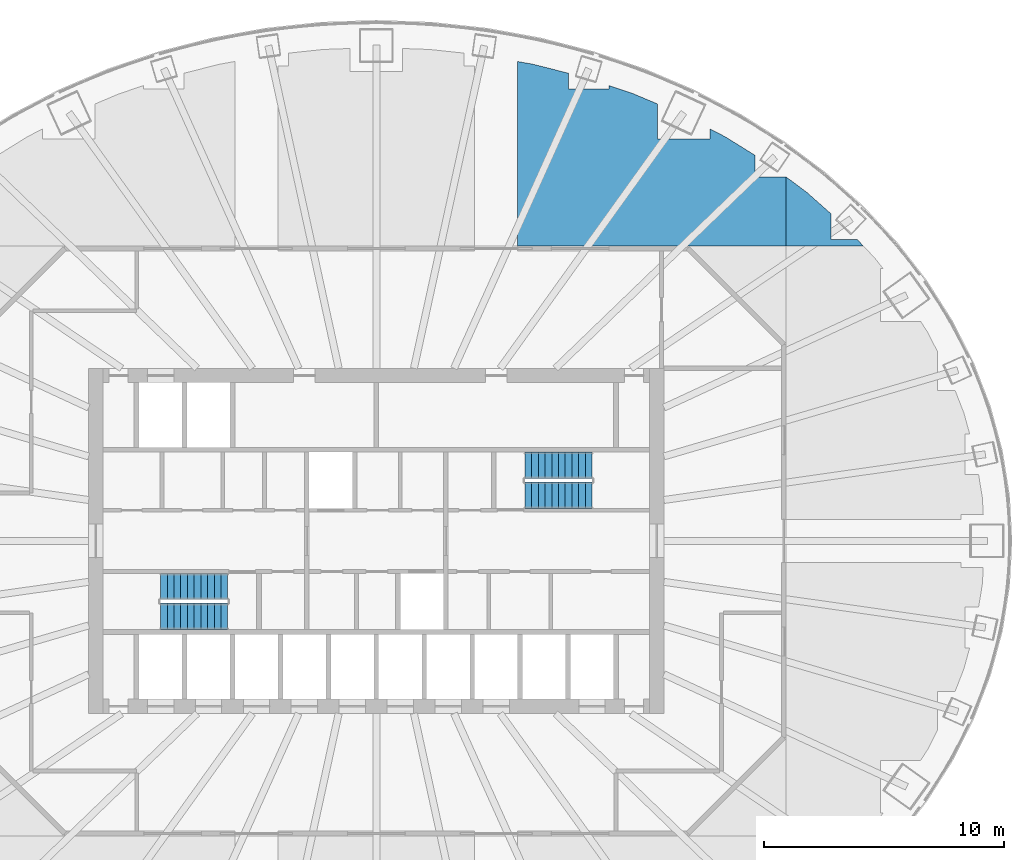
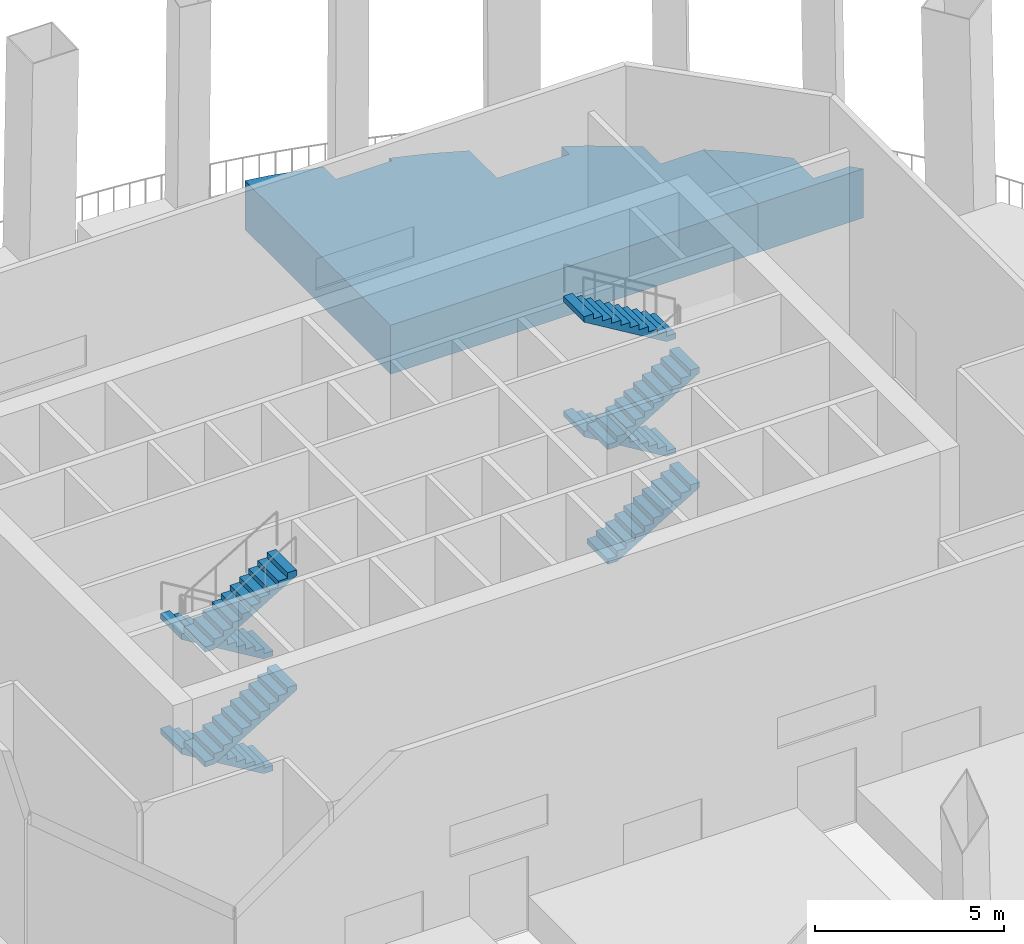
# One storey, part 7 of 13: 8 stair flights, 2 walls, 2 elements without a shape of their own.
"""IFC4 building model written with IfcOpenShell, lengths in metres."""

from ifc_helpers import new_model, si_unit, direction, frame, origin, place, context, subcontext, project, spatial, polyline, outline, extrude, material, layer, layer_set, type_object, element, aggregate, save


model = new_model("IFC4")

# Units and contexts
model_context = context("Model", 3, precision=1e-05, world=origin(), true_north=direction((0.0, 1.0)))
body_context = subcontext(model_context, "Body", "Model", "MODEL_VIEW")
ifc_project = project(units=[si_unit("LENGTHUNIT", "METRE"), si_unit("AREAUNIT", "SQUARE_METRE"), si_unit("VOLUMEUNIT", "CUBIC_METRE"), si_unit("PLANEANGLEUNIT", "RADIAN"), si_unit("MASSUNIT", "GRAM", prefix="KILO")], contexts=[model_context])

# Site, building, storey
site_placement = place(None, origin())
site = spatial("IfcSite", under=ifc_project, at=site_placement, CompositionType="ELEMENT")
building_placement = place(site_placement, origin())
building = spatial("IfcBuilding", under=site, at=building_placement, Name="Siaravel Broadcast Tower", CompositionType="ELEMENT")
storey_placement = place(building_placement, frame((0.0, 0.0, 85.199951171875)))
storey = spatial("IfcBuildingStorey", under=building, at=storey_placement, Name="L20", CompositionType="ELEMENT", Elevation=85.199951171875)

# Walls
ifc_material = material(Name="Concrete C40/50", Category="concrete")
ifc_layer = layer(ifc_material, 1.0)
ifc_layer_set = layer_set([ifc_layer], Name="Concrete C40/50")
wall_type = type_object("IfcWallType", Name="Garden planter box", PredefinedType="ELEMENTEDWALL", material=ifc_layer_set)
wall_1_placement = place(storey_placement, frame((0.0, 0.0, -0.39990234375)))
element("IfcWall", 1, at=wall_1_placement, inside=storey, type_object=wall_type, Name="L20 garden planting bed 15", PredefinedType="ELEMENTEDWALL", context=body_context, shape_type="SweptSolid", body=[
    extrude(outline(polyline([(17.10009765625, 15.177490234375), (17.10009765625, 12.300048828125), (20.32080078125, 12.300048828125), (20.056396484375, 12.579345703125), (18.962890625, 12.579345703125), (18.962890625, 13.652587890625), (17.94580078125, 14.552734375), (17.10498046875, 15.177490234375), (17.10009765625, 15.177490234375)])), origin(), (0.0, 0.0, 1.0), 1.579833984375),
])
wall_2_placement = place(storey_placement, frame((0.0, 0.0, -0.39990234375)))
element("IfcWall", 2, at=wall_2_placement, inside=storey, type_object=wall_type, Name="L20 garden planting bed 17", PredefinedType="ELEMENTEDWALL", context=body_context, shape_type="SweptSolid", body=[
    extrude(outline(polyline([(8.016845703125, 19.509033203125), (6.568603515625, 19.87939453125), (5.89990234375, 19.99951171875), (5.89990234375, 12.300048828125), (13.04150390625, 12.300048828125), (17.10009765625, 12.300048828125), (17.10009765625, 15.177490234375), (15.790771484375, 15.177490234375), (15.790771484375, 16.091064453125), (14.556884765625, 16.858642578125), (13.926513671875, 17.184326171875), (13.926513671875, 16.770263671875), (11.726318359375, 16.770263671875), (11.726318359375, 18.22998046875), (10.725830078125, 18.65234375), (9.716796875, 18.9912109375), (9.716796875, 18.852783203125), (8.016845703125, 18.852783203125), (8.016845703125, 19.509033203125)])), origin(), (0.0, 0.0, 1.0), 1.579833984375),
])

# Stair, stair flights
stair_type = type_object("IfcStairType", Name="Core exit stair", PredefinedType="HALF_TURN_STAIR", material=ifc_material)
stair_1_placement = place(storey_placement, origin())
stair_1 = element("IfcStair", 3, at=stair_1_placement, inside=storey, type_object=stair_type, Name="L20 Exit stair ST-1", PredefinedType="HALF_TURN_STAIR")
stair_flight_type = type_object("IfcStairFlightType", Name="Stair flight 1100", PredefinedType="STRAIGHT", material=ifc_material)
stair_flight_1_placement = place(storey_placement, frame((-6.199951171875, -1.89990234375, 0.0), z_axis=(0.0, 0.0, 1.0), x_axis=(-1.0, 0.0, 0.0)))
stair_flight_1 = element("IfcStairFlight", 4, at=stair_flight_1_placement, type_object=stair_flight_type, Name="ST-1 flight 1", NumberOfRisers=11, NumberOfTreads=10, PredefinedType="STRAIGHT", RiserHeight=0.1681818, TreadLength=0.28, context=body_context, shape_type="SweptSolid", body=[
    extrude(outline(polyline([(0.0, 0.0), (0.0, 0.168212890625), (0.280029296875, 0.168212890625), (0.280029296875, 0.33642578125), (0.56005859375, 0.33642578125), (0.56005859375, 0.504638671875), (0.840087890625, 0.504638671875), (0.840087890625, 0.672607421875), (1.1201171875, 0.672607421875), (1.1201171875, 0.8408203125), (1.39990234375, 0.8408203125), (1.39990234375, 1.009033203125), (1.679931640625, 1.009033203125), (1.679931640625, 1.17724609375), (1.9599609375, 1.17724609375), (1.9599609375, 1.345458984375), (2.239990234375, 1.345458984375), (2.239990234375, 1.513671875), (2.52001953125, 1.513671875), (2.52001953125, 1.681884765625), (2.800048828125, 1.681884765625), (2.800048828125, 1.85009765625), (2.800048828125, 1.5068359375), (0.291015625, 0.0), (0.0, 0.0)])), frame((0.0, 0.550048828125, 0.0), z_axis=(0.0, -1.0, 0.0), x_axis=(1.0, 0.0, 0.0)), (0.0, 0.0, 1.0), 1.10009765625),
])
stair_flight_2_placement = place(storey_placement, frame((-9.0, -3.14990234375, 1.85009765625), z_axis=(0.0, 0.0, 1.0), x_axis=(1.0, 0.0, 0.0)))
stair_flight_2 = element("IfcStairFlight", 5, at=stair_flight_2_placement, type_object=stair_flight_type, Name="ST-1 flight 2", NumberOfRisers=11, NumberOfTreads=10, PredefinedType="STRAIGHT", RiserHeight=0.1681818, TreadLength=0.28, context=body_context, shape_type="SweptSolid", body=[
    extrude(outline(polyline([(0.0, 0.0), (0.0, 0.168212890625), (0.280029296875, 0.168212890625), (0.280029296875, 0.33642578125), (0.56005859375, 0.33642578125), (0.56005859375, 0.504638671875), (0.840087890625, 0.504638671875), (0.840087890625, 0.672607421875), (1.1201171875, 0.672607421875), (1.1201171875, 0.8408203125), (1.39990234375, 0.8408203125), (1.39990234375, 1.009033203125), (1.679931640625, 1.009033203125), (1.679931640625, 1.17724609375), (1.9599609375, 1.17724609375), (1.9599609375, 1.345458984375), (2.239990234375, 1.345458984375), (2.239990234375, 1.513671875), (2.52001953125, 1.513671875), (2.52001953125, 1.681884765625), (2.800048828125, 1.681884765625), (2.800048828125, 1.85009765625), (2.800048828125, 1.5068359375), (0.291015625, 0.0), (0.0, 0.0)])), frame((0.0, 0.550048828125, 0.0), z_axis=(0.0, -1.0, 0.0), x_axis=(1.0, 0.0, 0.0)), (0.0, 0.0, 1.0), 1.10009765625),
])
stair_flight_3_placement = place(storey_placement, frame((-6.199951171875, -1.89990234375, 3.699951171875), z_axis=(0.0, 0.0, 1.0), x_axis=(-1.0, 0.0, 0.0)))
stair_flight_3 = element("IfcStairFlight", 6, at=stair_flight_3_placement, type_object=stair_flight_type, Name="ST-1 flight 3", NumberOfRisers=11, NumberOfTreads=10, PredefinedType="STRAIGHT", RiserHeight=0.1681818, TreadLength=0.28, context=body_context, shape_type="SweptSolid", body=[
    extrude(outline(polyline([(0.0, 0.0), (0.0, 0.168212890625), (0.280029296875, 0.168212890625), (0.280029296875, 0.33642578125), (0.56005859375, 0.33642578125), (0.56005859375, 0.504638671875), (0.840087890625, 0.504638671875), (0.840087890625, 0.672607421875), (1.1201171875, 0.672607421875), (1.1201171875, 0.8408203125), (1.39990234375, 0.8408203125), (1.39990234375, 1.009033203125), (1.679931640625, 1.009033203125), (1.679931640625, 1.17724609375), (1.9599609375, 1.17724609375), (1.9599609375, 1.345458984375), (2.239990234375, 1.345458984375), (2.239990234375, 1.513671875), (2.52001953125, 1.513671875), (2.52001953125, 1.681884765625), (2.800048828125, 1.681884765625), (2.800048828125, 1.85009765625), (2.800048828125, 1.5068359375), (0.291015625, 0.0), (0.0, 0.0)])), frame((0.0, 0.550048828125, 0.0), z_axis=(0.0, -1.0, 0.0), x_axis=(1.0, 0.0, 0.0)), (0.0, 0.0, 1.0), 1.10009765625),
])
stair_flight_4_placement = place(storey_placement, frame((-9.0, -3.14990234375, 5.550048828125), z_axis=(0.0, 0.0, 1.0), x_axis=(1.0, 0.0, 0.0)))
stair_flight_4 = element("IfcStairFlight", 7, at=stair_flight_4_placement, type_object=stair_flight_type, Name="ST-1 flight 4", NumberOfRisers=11, NumberOfTreads=10, PredefinedType="STRAIGHT", RiserHeight=0.1681818, TreadLength=0.28, context=body_context, shape_type="SweptSolid", body=[
    extrude(outline(polyline([(0.0, 0.0), (0.0, 0.168212890625), (0.280029296875, 0.168212890625), (0.280029296875, 0.33642578125), (0.56005859375, 0.33642578125), (0.56005859375, 0.504638671875), (0.840087890625, 0.504638671875), (0.840087890625, 0.672607421875), (1.1201171875, 0.672607421875), (1.1201171875, 0.8408203125), (1.39990234375, 0.8408203125), (1.39990234375, 1.009033203125), (1.679931640625, 1.009033203125), (1.679931640625, 1.17724609375), (1.9599609375, 1.17724609375), (1.9599609375, 1.345458984375), (2.239990234375, 1.345458984375), (2.239990234375, 1.513671875), (2.52001953125, 1.513671875), (2.52001953125, 1.681884765625), (2.800048828125, 1.681884765625), (2.800048828125, 1.85009765625), (2.800048828125, 1.5068359375), (0.291015625, 0.0), (0.0, 0.0)])), frame((0.0, 0.550048828125, 0.0), z_axis=(0.0, -1.0, 0.0), x_axis=(1.0, 0.0, 0.0)), (0.0, 0.0, 1.0), 1.10009765625),
])
aggregate(stair_1, [stair_flight_1, stair_flight_2, stair_flight_3, stair_flight_4])

stair_2_placement = place(storey_placement, origin())
stair_2 = element("IfcStair", 8, at=stair_2_placement, inside=storey, type_object=stair_type, Name="L20 Exit stair ST-2", PredefinedType="HALF_TURN_STAIR")
stair_flight_5_placement = place(storey_placement, frame((6.199951171875, 1.89990234375, 0.0), z_axis=(0.0, 0.0, 1.0), x_axis=(1.0, 0.0, 0.0)))
stair_flight_5 = element("IfcStairFlight", 9, at=stair_flight_5_placement, type_object=stair_flight_type, Name="ST-2 flight 1", NumberOfRisers=11, NumberOfTreads=10, PredefinedType="STRAIGHT", RiserHeight=0.1681818, TreadLength=0.28, context=body_context, shape_type="SweptSolid", body=[
    extrude(outline(polyline([(0.0, 0.0), (0.0, 0.168212890625), (0.280029296875, 0.168212890625), (0.280029296875, 0.33642578125), (0.56005859375, 0.33642578125), (0.56005859375, 0.504638671875), (0.840087890625, 0.504638671875), (0.840087890625, 0.672607421875), (1.1201171875, 0.672607421875), (1.1201171875, 0.8408203125), (1.39990234375, 0.8408203125), (1.39990234375, 1.009033203125), (1.679931640625, 1.009033203125), (1.679931640625, 1.17724609375), (1.9599609375, 1.17724609375), (1.9599609375, 1.345458984375), (2.239990234375, 1.345458984375), (2.239990234375, 1.513671875), (2.52001953125, 1.513671875), (2.52001953125, 1.681884765625), (2.800048828125, 1.681884765625), (2.800048828125, 1.85009765625), (2.800048828125, 1.5068359375), (0.291015625, 0.0), (0.0, 0.0)])), frame((0.0, 0.550048828125, 0.0), z_axis=(0.0, -1.0, 0.0), x_axis=(1.0, 0.0, 0.0)), (0.0, 0.0, 1.0), 1.10009765625),
])
stair_flight_6_placement = place(storey_placement, frame((9.0, 3.14990234375, 1.85009765625), z_axis=(0.0, 0.0, 1.0), x_axis=(-1.0, 0.0, 0.0)))
stair_flight_6 = element("IfcStairFlight", 10, at=stair_flight_6_placement, type_object=stair_flight_type, Name="ST-2 flight 2", NumberOfRisers=11, NumberOfTreads=10, PredefinedType="STRAIGHT", RiserHeight=0.1681818, TreadLength=0.28, context=body_context, shape_type="SweptSolid", body=[
    extrude(outline(polyline([(0.0, 0.0), (0.0, 0.168212890625), (0.280029296875, 0.168212890625), (0.280029296875, 0.33642578125), (0.56005859375, 0.33642578125), (0.56005859375, 0.504638671875), (0.840087890625, 0.504638671875), (0.840087890625, 0.672607421875), (1.1201171875, 0.672607421875), (1.1201171875, 0.8408203125), (1.39990234375, 0.8408203125), (1.39990234375, 1.009033203125), (1.679931640625, 1.009033203125), (1.679931640625, 1.17724609375), (1.9599609375, 1.17724609375), (1.9599609375, 1.345458984375), (2.239990234375, 1.345458984375), (2.239990234375, 1.513671875), (2.52001953125, 1.513671875), (2.52001953125, 1.681884765625), (2.800048828125, 1.681884765625), (2.800048828125, 1.85009765625), (2.800048828125, 1.5068359375), (0.291015625, 0.0), (0.0, 0.0)])), frame((0.0, 0.550048828125, 0.0), z_axis=(0.0, -1.0, 0.0), x_axis=(1.0, 0.0, 0.0)), (0.0, 0.0, 1.0), 1.10009765625),
])
stair_flight_7_placement = place(storey_placement, frame((6.199951171875, 1.89990234375, 3.699951171875), z_axis=(0.0, 0.0, 1.0), x_axis=(1.0, 0.0, 0.0)))
stair_flight_7 = element("IfcStairFlight", 11, at=stair_flight_7_placement, type_object=stair_flight_type, Name="ST-2 flight 3", NumberOfRisers=11, NumberOfTreads=10, PredefinedType="STRAIGHT", RiserHeight=0.1681818, TreadLength=0.28, context=body_context, shape_type="SweptSolid", body=[
    extrude(outline(polyline([(0.0, 0.0), (0.0, 0.168212890625), (0.280029296875, 0.168212890625), (0.280029296875, 0.33642578125), (0.56005859375, 0.33642578125), (0.56005859375, 0.504638671875), (0.840087890625, 0.504638671875), (0.840087890625, 0.672607421875), (1.1201171875, 0.672607421875), (1.1201171875, 0.8408203125), (1.39990234375, 0.8408203125), (1.39990234375, 1.009033203125), (1.679931640625, 1.009033203125), (1.679931640625, 1.17724609375), (1.9599609375, 1.17724609375), (1.9599609375, 1.345458984375), (2.239990234375, 1.345458984375), (2.239990234375, 1.513671875), (2.52001953125, 1.513671875), (2.52001953125, 1.681884765625), (2.800048828125, 1.681884765625), (2.800048828125, 1.85009765625), (2.800048828125, 1.5068359375), (0.291015625, 0.0), (0.0, 0.0)])), frame((0.0, 0.550048828125, 0.0), z_axis=(0.0, -1.0, 0.0), x_axis=(1.0, 0.0, 0.0)), (0.0, 0.0, 1.0), 1.10009765625),
])
stair_flight_8_placement = place(storey_placement, frame((9.0, 3.14990234375, 5.550048828125), z_axis=(0.0, 0.0, 1.0), x_axis=(-1.0, 0.0, 0.0)))
stair_flight_8 = element("IfcStairFlight", 12, at=stair_flight_8_placement, type_object=stair_flight_type, Name="ST-2 flight 4", NumberOfRisers=11, NumberOfTreads=10, PredefinedType="STRAIGHT", RiserHeight=0.1681818, TreadLength=0.28, context=body_context, shape_type="SweptSolid", body=[
    extrude(outline(polyline([(0.0, 0.0), (0.0, 0.168212890625), (0.280029296875, 0.168212890625), (0.280029296875, 0.33642578125), (0.56005859375, 0.33642578125), (0.56005859375, 0.504638671875), (0.840087890625, 0.504638671875), (0.840087890625, 0.672607421875), (1.1201171875, 0.672607421875), (1.1201171875, 0.8408203125), (1.39990234375, 0.8408203125), (1.39990234375, 1.009033203125), (1.679931640625, 1.009033203125), (1.679931640625, 1.17724609375), (1.9599609375, 1.17724609375), (1.9599609375, 1.345458984375), (2.239990234375, 1.345458984375), (2.239990234375, 1.513671875), (2.52001953125, 1.513671875), (2.52001953125, 1.681884765625), (2.800048828125, 1.681884765625), (2.800048828125, 1.85009765625), (2.800048828125, 1.5068359375), (0.291015625, 0.0), (0.0, 0.0)])), frame((0.0, 0.550048828125, 0.0), z_axis=(0.0, -1.0, 0.0), x_axis=(1.0, 0.0, 0.0)), (0.0, 0.0, 1.0), 1.10009765625),
])
aggregate(stair_2, [stair_flight_5, stair_flight_6, stair_flight_7, stair_flight_8])

save(model, "model.ifc")
